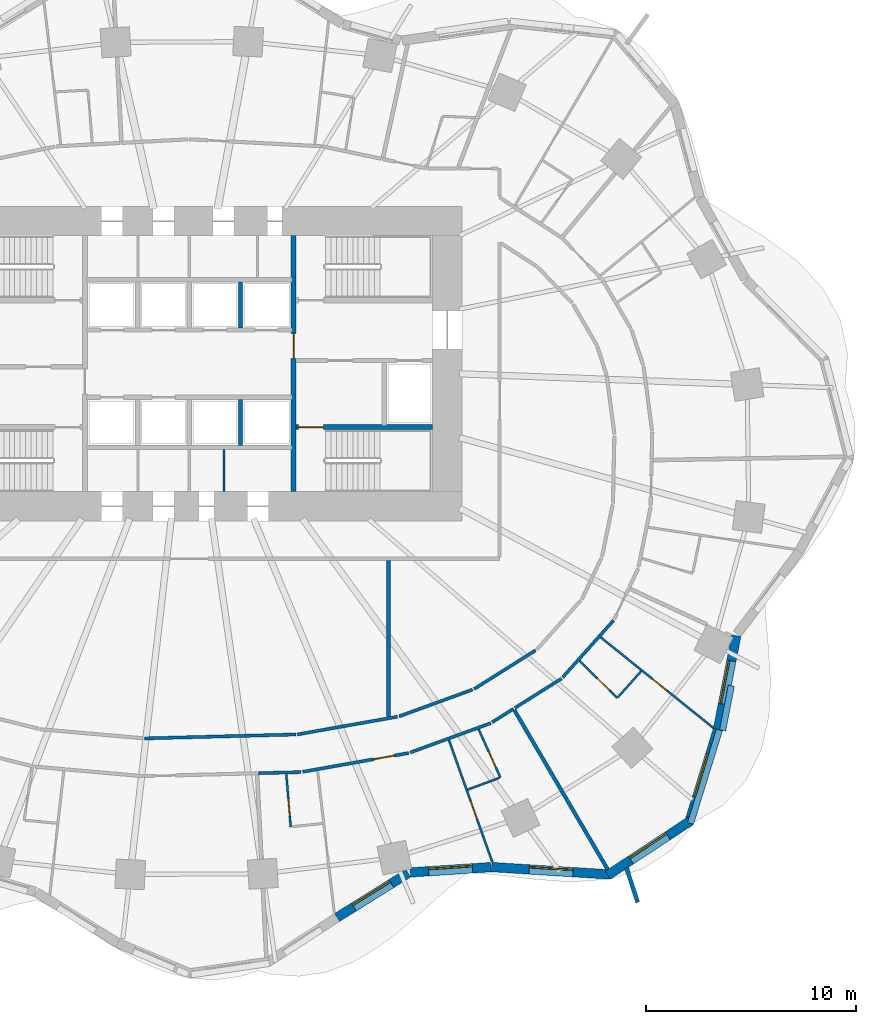
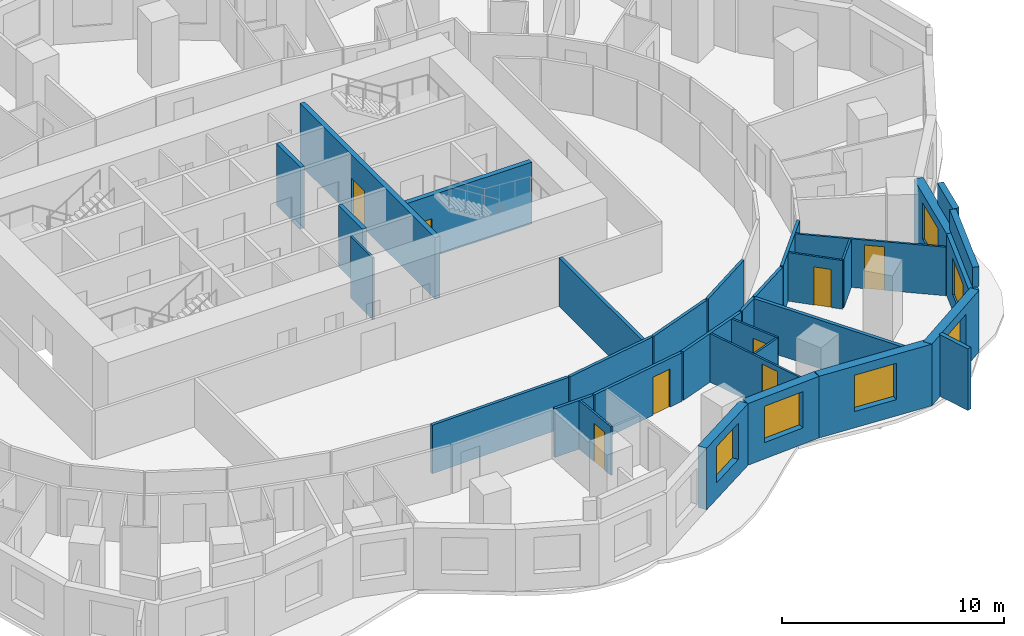
# One storey, part 6 of 11: 33 walls, 8 doors, 6 windows, 14 openings.
"""IFC4 building model written with IfcOpenShell, lengths in metres."""

import ifcopenshell
import ifcopenshell.guid

model = None  # the IFC model being written
_history = None  # IfcOwnerHistory: only IFC2X3 demands one
_inside = {}  # id of a spatial element -> (the spatial element, [elements in it])
_under = {}  # id of a project, library or spatial element -> (it, [spatial elements below it])
_declared = {}  # id of a project -> (the project, [libraries it declares])
_typed = {}  # id of a type object -> (the type object, [elements of that type])
_made_of = {}  # id of a material, layer set ... -> (it, [elements and type objects made of it])


def new_model(schema):
    """Start an empty IFC model of exactly this schema.

    Asked for "IFC4X3", IfcOpenShell would pick the latest addendum, in which some entities
    have other attributes; the version numbers below select the first issue.
    IFC2X3 requires an IfcOwnerHistory on every rooted entity: one is made here for all.
    """
    global model, _history
    if schema == "IFC4X3":
        model = ifcopenshell.file(schema_version=(4, 3, 0, 0))
    else:
        model = ifcopenshell.file(schema=schema)
    _inside.clear()
    _under.clear()
    _declared.clear()
    _typed.clear()
    _made_of.clear()
    _history = None
    if model.schema == "IFC2X3":
        org = make("IfcOrganization", Name="unknown")
        user = make(
            "IfcPersonAndOrganization",
            ThePerson=make("IfcPerson", FamilyName="unknown"),
            TheOrganization=org,
        )
        app = make(
            "IfcApplication",
            ApplicationDeveloper=org,
            Version="unknown",
            ApplicationFullName="unknown",
            ApplicationIdentifier="unknown",
        )
        _history = make(
            "IfcOwnerHistory",
            OwningUser=user,
            OwningApplication=app,
            ChangeAction="ADDED",
            CreationDate=0,
        )
    return model


def make(cls, **values):
    """One entity of the class cls with the attributes given. An attribute that is None is left unset."""
    return model.create_entity(
        cls, **{name: value for name, value in values.items() if value is not None}
    )


def rooted(cls, **values):
    """An entity with a GlobalId (a new one), such as an element, a storey or a relation."""
    return make(cls, GlobalId=ifcopenshell.guid.new(), OwnerHistory=_history, **values)


def si_unit(unit_type, name, prefix=None):
    """IfcSIUnit, for example si_unit("LENGTHUNIT", "METRE", prefix="MILLI")."""
    return make("IfcSIUnit", UnitType=unit_type, Prefix=prefix, Name=name)


def assignment(units):
    """IfcUnitAssignment: the units of a project."""
    return None if units is None else make("IfcUnitAssignment", Units=units)


def point(xyz):
    """IfcCartesianPoint."""
    return None if xyz is None else make("IfcCartesianPoint", Coordinates=xyz)


def direction(xyz):
    """IfcDirection."""
    return None if xyz is None else make("IfcDirection", DirectionRatios=xyz)


def frame(location, z_axis=None, x_axis=None):
    """IfcAxis2Placement3D, a coordinate frame: its origin and axes. An axis left out is left unset."""
    return make(
        "IfcAxis2Placement3D",
        Location=point(location),
        Axis=direction(z_axis),
        RefDirection=direction(x_axis),
    )


def frame_2d(location, x_axis=None):
    """IfcAxis2Placement2D, a coordinate frame in the plane: its origin and x axis."""
    return make(
        "IfcAxis2Placement2D", Location=point(location), RefDirection=direction(x_axis)
    )


def origin():
    """The frame at (0, 0, 0) with its axes left unset."""
    return frame((0.0, 0.0, 0.0))


def place(relative_to, where):
    """IfcLocalPlacement: puts the frame where relative to a parent placement (None: the world)."""
    return make(
        "IfcLocalPlacement", PlacementRelTo=relative_to, RelativePlacement=where
    )


def context(
    kind, dimensions, precision=None, world=None, true_north=None, identifier=None
):
    """IfcGeometricRepresentationContext, for example the 3D "Model" context."""
    return make(
        "IfcGeometricRepresentationContext",
        ContextIdentifier=identifier,
        ContextType=kind,
        CoordinateSpaceDimension=dimensions,
        Precision=precision,
        WorldCoordinateSystem=world,
        TrueNorth=true_north,
    )


def subcontext(parent, identifier, kind, view, scale=None):
    """IfcGeometricRepresentationSubContext, for example "Body" below "Model"."""
    return make(
        "IfcGeometricRepresentationSubContext",
        ContextIdentifier=identifier,
        ContextType=kind,
        ParentContext=parent,
        TargetScale=scale,
        TargetView=view,
    )


def project(units=None, contexts=None):
    """IfcProject with its units and contexts."""
    return rooted(
        "IfcProject",
        Name="project",
        RepresentationContexts=contexts,
        UnitsInContext=assignment(units),
    )


def spatial(cls, under=None, at=None, **own):
    """A site, building, storey or space (cls), placed at a placement, below another one or the project."""
    s = rooted(cls, ObjectPlacement=at, **own)
    if under is not None:
        _under.setdefault(under.id(), (under, []))[1].append(s)
    return s


def profile(cls, at=None, kind="AREA", **sizes):
    """A parametric profile (cls). Its sizes go by their IFC names, for example OverallWidth=200.0."""
    return make(cls, ProfileType=kind, Position=at, **sizes)


def rectangle(**sizes):
    """IfcRectangleProfileDef."""
    return profile("IfcRectangleProfileDef", **sizes)


def extrude(swept, where, along, depth):
    """IfcExtrudedAreaSolid: the profile swept, set in the frame where, extruded along a direction by depth."""
    return make(
        "IfcExtrudedAreaSolid",
        SweptArea=swept,
        Position=where,
        ExtrudedDirection=direction(along),
        Depth=depth,
    )


def shape(context_of_items, identifier, shape_type, items):
    """IfcShapeRepresentation: the items that make up one representation, for example the "Body"."""
    return make(
        "IfcShapeRepresentation",
        ContextOfItems=context_of_items,
        RepresentationIdentifier=identifier,
        RepresentationType=shape_type,
        Items=items,
    )


def material(Name=None, Category=None):
    """IfcMaterial."""
    return make("IfcMaterial", Name=Name, Category=Category)


def layer(
    of_material, thickness, ventilated=None, Name=None, Category=None, Priority=None
):
    """IfcMaterialLayer: one layer of a wall or slab, of a material (None: an air gap)."""
    return make(
        "IfcMaterialLayer",
        Material=of_material,
        LayerThickness=thickness,
        IsVentilated=ventilated,
        Name=Name,
        Category=Category,
        Priority=Priority,
    )


def layer_set(layers, Name=None):
    """IfcMaterialLayerSet."""
    return make("IfcMaterialLayerSet", MaterialLayers=layers, LayerSetName=Name)


def made_of(thing, what):
    """Note that an element or type object is made of a material, layer set ...; save() writes the relation."""
    if what is not None:
        _made_of.setdefault(what.id(), (what, []))[1].append(thing)
    return thing


def type_object(cls, material=None, **own):
    """A type object (cls), such as IfcWallType, which elements share."""
    return made_of(rooted(cls, **own), material)


def element(
    cls,
    number,
    at=None,
    inside=None,
    cuts=None,
    type_object=None,
    material=None,
    context=None,
    identifier="Body",
    shape_type=None,
    held_by="IfcProductDefinitionShape",
    body=None,
    shapes=None,
    **own,
):
    """One element of the class cls, such as IfcWall. Its Tag is "e" and its number.

    at: its placement. inside: the storey or other place that contains it. cuts: it is an
    opening in that element (IfcRelVoidsElement). A single representation is given by context,
    identifier, shape_type and body (its items); several are given by shapes. held_by: the class
    of the entity that holds the representations. save() writes the other relations.
    """
    e = rooted(cls, Tag="e%d" % number, ObjectPlacement=at, **own)
    if body is not None:
        shapes = [shape(context, identifier, shape_type, body)]
    if shapes is not None:
        e.Representation = make(held_by, Representations=shapes)
    if inside is not None:
        _inside.setdefault(inside.id(), (inside, []))[1].append(e)
    if cuts is not None:
        rooted(
            "IfcRelVoidsElement", RelatingBuildingElement=cuts, RelatedOpeningElement=e
        )
    if type_object is not None:
        _typed.setdefault(type_object.id(), (type_object, []))[1].append(e)
    return made_of(e, material)


def fill(opening, filler):
    """IfcRelFillsElement: the door or window that sits in an opening."""
    return rooted(
        "IfcRelFillsElement",
        RelatingOpeningElement=opening,
        RelatedBuildingElement=filler,
    )


def aggregate(whole, parts):
    """IfcRelAggregates: a whole, such as a stair, and the parts it consists of."""
    return rooted("IfcRelAggregates", RelatingObject=whole, RelatedObjects=parts)


def save(model, path):
    """Write the relations noted so far, then the file.

    IfcRelAggregates (storeys below a building ...), IfcRelContainedInSpatialStructure (elements
    in a storey), IfcRelDefinesByType, IfcRelAssociatesMaterial and IfcRelDeclares: one each for
    every whole, place, type object, material and project.
    """
    for whole, parts in _under.values():
        aggregate(whole, parts)
    for where, things in _inside.values():
        rooted(
            "IfcRelContainedInSpatialStructure",
            RelatedElements=things,
            RelatingStructure=where,
        )
    for kind, things in _typed.values():
        rooted("IfcRelDefinesByType", RelatedObjects=things, RelatingType=kind)
    for what, things in _made_of.values():
        rooted("IfcRelAssociatesMaterial", RelatedObjects=things, RelatingMaterial=what)
    for by, libraries in _declared.values():
        rooted("IfcRelDeclares", RelatingContext=by, RelatedDefinitions=libraries)
    model.write(path)


model = new_model("IFC4")

# Units and contexts
model_context = context("Model", 3, precision=1e-05, world=origin(), true_north=direction((0.0, 1.0)))
body_context = subcontext(model_context, "Body", "Model", "MODEL_VIEW")
ifc_project = project(units=[si_unit("LENGTHUNIT", "METRE"), si_unit("AREAUNIT", "SQUARE_METRE"), si_unit("VOLUMEUNIT", "CUBIC_METRE"), si_unit("PLANEANGLEUNIT", "RADIAN"), si_unit("MASSUNIT", "GRAM", prefix="KILO")], contexts=[model_context])

# Site, building, storey
site_placement = place(None, origin())
site = spatial("IfcSite", under=ifc_project, at=site_placement, CompositionType="ELEMENT")
building_placement = place(site_placement, origin())
building = spatial("IfcBuilding", under=site, at=building_placement, Name="Rubra Terraces Tower", CompositionType="ELEMENT")
storey_placement = place(building_placement, frame((0.0, 0.0, 41.10009765625)))
storey = spatial("IfcBuildingStorey", under=building, at=storey_placement, Name="L07", CompositionType="ELEMENT", Elevation=41.10009765625)

# Walls
ifc_material_1 = material(Name="Twin plasterboard on staggered steel stud, acoustic mineral wool", Category="steel")
ifc_layer_1 = layer(ifc_material_1, 0.175048828125)
ifc_layer_set_1 = layer_set([ifc_layer_1], Name="Twin plasterboard on staggered steel stud, acoustic mineral wool")
wall_type_1 = type_object("IfcWallType", Name="ACOUSTIC PARTY WALL 175", PredefinedType="PARTITIONING", material=ifc_layer_set_1)
wall_1_placement = place(storey_placement, frame((19.95849609375, -19.620361328125, 0.0), z_axis=(0.0, 0.0, 1.0), x_axis=(-0.505643381875, 0.862742586387, 0.0)))
element("IfcWall", 1, at=wall_1_placement, inside=storey, type_object=wall_type_1, Name="PARTITION", PredefinedType="PARTITIONING", context=body_context, shape_type="SweptSolid", body=[
    extrude(rectangle(XDim=8.807861328125, YDim=0.175048828125, at=frame_2d((4.40380859375, 0.0))), origin(), (0.0, 0.0, 1.0), 2.679931640625),
])
wall_2_placement = place(storey_placement, frame((9.5, -12.335205078125, 0.0), z_axis=(0.0, 0.0, 1.0), x_axis=(0.0, 1.0, 0.0)))
element("IfcWall", 2, at=wall_2_placement, inside=storey, type_object=wall_type_1, Name="PARTITION", PredefinedType="PARTITIONING", context=body_context, shape_type="SweptSolid", body=[
    extrude(rectangle(XDim=7.460205078125, YDim=0.175048828125, at=frame_2d((3.72998046875, 0.0))), origin(), (0.0, 0.0, 1.0), 2.679931640625),
])

# Wall, opening, window
ifc_material_2 = material(Name="Brick masonry red-brown", Category="masonry")
ifc_layer_2 = layer(ifc_material_2, 0.449951171875)
ifc_layer_set_2 = layer_set([ifc_layer_2], Name="Brick masonry red-brown")
wall_type_2 = type_object("IfcWallType", Name="Brick facade wall 450", PredefinedType="SOLIDWALL", material=ifc_layer_set_2)
wall_3_placement = place(storey_placement, frame((7.0517578125, -21.907470703125, 0.0), z_axis=(0.0, 0.0, 1.0), x_axis=(0.848498976054, 0.529197021566, 0.0)))
wall_3 = element("IfcWall", 3, at=wall_3_placement, inside=storey, type_object=wall_type_2, Name="Facade wall L07 bay 33", PredefinedType="SOLIDWALL", context=body_context, shape_type="SweptSolid", body=[
    extrude(rectangle(XDim=3.99658203125, YDim=0.449951171875, at=frame_2d((1.998291015625, 0.0))), origin(), (0.0, 0.0, 1.0), 3.39990234375),
])
opening_1_placement = place(wall_3_placement, frame((0.9482421875, 0.0, 0.89990234375)))
opening_1 = element("IfcOpeningElement", 4, at=opening_1_placement, cuts=wall_3, Name="Opening W1", PredefinedType="OPENING", context=body_context, shape_type="SweptSolid", body=[
    extrude(rectangle(XDim=2.10009765625, YDim=2.0, at=frame_2d((1.050048828125, 1.0))), frame((0.0, 0.23486328125, 0.0), z_axis=(0.0, -1.0, 0.0), x_axis=(1.0, 0.0, 0.0)), (0.0, 0.0, 1.0), 0.469970703125),
])
ifc_material_3 = material(Name="Clear glass in aluminium frame", Category="aluminium")
window_type = type_object("IfcWindowType", Name="Fixed deep-set window 2100 x 2000", PartitioningType="SINGLE_PANEL", PredefinedType="WINDOW", material=ifc_material_3)
window_1_placement = place(opening_1_placement, origin())
window_1 = element("IfcWindow", 5, at=window_1_placement, inside=storey, type_object=window_type, Name="Window L07 bay 33", OverallHeight=2.0, OverallWidth=2.10009765625, PartitioningType="SINGLE_PANEL", PredefinedType="WINDOW", context=body_context, shape_type="SweptSolid", body=[
    extrude(rectangle(XDim=2.10009765625, YDim=2.0, at=frame_2d((1.050048828125, 1.0))), frame((0.0, 0.135009765625, 0.0), z_axis=(0.0, -1.0, 0.0), x_axis=(1.0, 0.0, 0.0)), (0.0, 0.0, 1.0), 0.06005859375),
])
fill(opening_1, window_1)

wall_4_placement = place(storey_placement, frame((10.537353515625, -19.76123046875, 0.0), z_axis=(0.0, 0.0, 1.0), x_axis=(0.997831357874, 0.065822346084, 0.0)))
wall_4 = element("IfcWall", 6, at=wall_4_placement, inside=storey, type_object=wall_type_2, Name="Facade wall L07 bay 34", PredefinedType="SOLIDWALL", context=body_context, shape_type="SweptSolid", body=[
    extrude(rectangle(XDim=3.861083984375, YDim=0.449951171875, at=frame_2d((1.9306640625, 0.0))), origin(), (0.0, 0.0, 1.0), 3.39990234375),
])
opening_2_placement = place(wall_4_placement, frame((0.880615234375, 0.0, 0.89990234375)))
opening_2 = element("IfcOpeningElement", 7, at=opening_2_placement, cuts=wall_4, Name="Opening W1", PredefinedType="OPENING", context=body_context, shape_type="SweptSolid", body=[
    extrude(rectangle(XDim=2.10009765625, YDim=2.0, at=frame_2d((1.050048828125, 1.0))), frame((0.0, 0.23486328125, 0.0), z_axis=(0.0, -1.0, 0.0), x_axis=(1.0, 0.0, 0.0)), (0.0, 0.0, 1.0), 0.469970703125),
])
window_2_placement = place(opening_2_placement, origin())
window_2 = element("IfcWindow", 8, at=window_2_placement, inside=storey, type_object=window_type, Name="Window L07 bay 34", OverallHeight=2.0, OverallWidth=2.10009765625, PartitioningType="SINGLE_PANEL", PredefinedType="WINDOW", context=body_context, shape_type="SweptSolid", body=[
    extrude(rectangle(XDim=2.10009765625, YDim=2.0, at=frame_2d((1.050048828125, 1.0))), frame((0.0, 0.135009765625, 0.0), z_axis=(0.0, -1.0, 0.0), x_axis=(1.0, 0.0, 0.0)), (0.0, 0.0, 1.0), 0.06005859375),
])
fill(opening_2, window_2)

wall_5_placement = place(storey_placement, frame((14.421142578125, -19.506103515625, 0.0), z_axis=(0.0, 0.0, 1.0), x_axis=(0.998078573447, -0.06196096534, 0.0)))
wall_5 = element("IfcWall", 9, at=wall_5_placement, inside=storey, type_object=wall_type_2, Name="Facade wall L07 bay 35", PredefinedType="SOLIDWALL", context=body_context, shape_type="SweptSolid", body=[
    extrude(rectangle(XDim=5.681884765625, YDim=0.449951171875, at=frame_2d((2.8408203125, 0.0))), origin(), (0.0, 0.0, 1.0), 3.39990234375),
])
opening_3_placement = place(wall_5_placement, frame((1.791015625, 0.0, 0.89990234375)))
opening_3 = element("IfcOpeningElement", 10, at=opening_3_placement, cuts=wall_5, Name="Opening W1", PredefinedType="OPENING", context=body_context, shape_type="SweptSolid", body=[
    extrude(rectangle(XDim=2.10009765625, YDim=2.0, at=frame_2d((1.050048828125, 1.0))), frame((0.0, 0.23486328125, 0.0), z_axis=(0.0, -1.0, 0.0), x_axis=(1.0, 0.0, 0.0)), (0.0, 0.0, 1.0), 0.469970703125),
])
window_3_placement = place(opening_3_placement, origin())
window_3 = element("IfcWindow", 11, at=window_3_placement, inside=storey, type_object=window_type, Name="Window L07 bay 35", OverallHeight=2.0, OverallWidth=2.10009765625, PartitioningType="SINGLE_PANEL", PredefinedType="WINDOW", context=body_context, shape_type="SweptSolid", body=[
    extrude(rectangle(XDim=2.10009765625, YDim=2.0, at=frame_2d((1.050048828125, 1.0))), frame((0.0, 0.135009765625, 0.0), z_axis=(0.0, -1.0, 0.0), x_axis=(1.0, 0.0, 0.0)), (0.0, 0.0, 1.0), 0.06005859375),
])
fill(opening_3, window_3)

wall_6_placement = place(storey_placement, frame((19.959228515625, -19.89501953125, 0.0), z_axis=(0.0, 0.0, 1.0), x_axis=(0.835201398752, 0.549944200372, 0.0)))
wall_6 = element("IfcWall", 12, at=wall_6_placement, inside=storey, type_object=wall_type_2, Name="Facade wall L07 bay 36", PredefinedType="SOLIDWALL", context=body_context, shape_type="SweptSolid", body=[
    extrude(rectangle(XDim=4.74755859375, YDim=0.449951171875, at=frame_2d((2.373779296875, 0.0))), origin(), (0.0, 0.0, 1.0), 3.39990234375),
])
opening_4_placement = place(wall_6_placement, frame((1.32373046875, 0.0, 0.89990234375)))
opening_4 = element("IfcOpeningElement", 13, at=opening_4_placement, cuts=wall_6, Name="Opening W1", PredefinedType="OPENING", context=body_context, shape_type="SweptSolid", body=[
    extrude(rectangle(XDim=2.10009765625, YDim=2.0, at=frame_2d((1.050048828125, 1.0))), frame((0.0, 0.23486328125, 0.0), z_axis=(0.0, -1.0, 0.0), x_axis=(1.0, 0.0, 0.0)), (0.0, 0.0, 1.0), 0.469970703125),
])
window_4_placement = place(opening_4_placement, origin())
window_4 = element("IfcWindow", 14, at=window_4_placement, inside=storey, type_object=window_type, Name="Window L07 bay 36", OverallHeight=2.0, OverallWidth=2.10009765625, PartitioningType="SINGLE_PANEL", PredefinedType="WINDOW", context=body_context, shape_type="SweptSolid", body=[
    extrude(rectangle(XDim=2.10009765625, YDim=2.0, at=frame_2d((1.050048828125, 1.0))), frame((0.0, 0.135009765625, 0.0), z_axis=(0.0, -1.0, 0.0), x_axis=(1.0, 0.0, 0.0)), (0.0, 0.0, 1.0), 0.06005859375),
])
fill(opening_4, window_4)

wall_7_placement = place(storey_placement, frame((23.834228515625, -17.40185546875, 0.0), z_axis=(0.0, 0.0, 1.0), x_axis=(0.2954658114, 0.955353313855, 0.0)))
wall_7 = element("IfcWall", 15, at=wall_7_placement, inside=storey, type_object=wall_type_2, Name="Facade wall L07 bay 37", PredefinedType="SOLIDWALL", context=body_context, shape_type="SweptSolid", body=[
    extrude(rectangle(XDim=4.6982421875, YDim=0.449951171875, at=frame_2d((2.34912109375, 0.0))), origin(), (0.0, 0.0, 1.0), 3.39990234375),
])
opening_5_placement = place(wall_7_placement, frame((1.29931640625, 0.0, 0.89990234375)))
opening_5 = element("IfcOpeningElement", 16, at=opening_5_placement, cuts=wall_7, Name="Opening W1", PredefinedType="OPENING", context=body_context, shape_type="SweptSolid", body=[
    extrude(rectangle(XDim=2.10009765625, YDim=2.0, at=frame_2d((1.050048828125, 1.0))), frame((0.0, 0.23486328125, 0.0), z_axis=(0.0, -1.0, 0.0), x_axis=(1.0, 0.0, 0.0)), (0.0, 0.0, 1.0), 0.469970703125),
])
window_5_placement = place(opening_5_placement, origin())
window_5 = element("IfcWindow", 17, at=window_5_placement, inside=storey, type_object=window_type, Name="Window L07 bay 37", OverallHeight=2.0, OverallWidth=2.10009765625, PartitioningType="SINGLE_PANEL", PredefinedType="WINDOW", context=body_context, shape_type="SweptSolid", body=[
    extrude(rectangle(XDim=2.10009765625, YDim=2.0, at=frame_2d((1.050048828125, 1.0))), frame((0.0, 0.135009765625, 0.0), z_axis=(0.0, -1.0, 0.0), x_axis=(1.0, 0.0, 0.0)), (0.0, 0.0, 1.0), 0.06005859375),
])
fill(opening_5, window_5)

wall_8_placement = place(storey_placement, frame((25.216064453125, -12.936279296875, 0.0), z_axis=(0.0, 0.0, 1.0), x_axis=(0.191564556994, 0.981480015336, 0.0)))
wall_8 = element("IfcWall", 18, at=wall_8_placement, inside=storey, type_object=wall_type_2, Name="Facade wall L07 bay 38", PredefinedType="SOLIDWALL", context=body_context, shape_type="SweptSolid", body=[
    extrude(rectangle(XDim=4.551025390625, YDim=0.449951171875, at=frame_2d((2.275390625, 0.0))), origin(), (0.0, 0.0, 1.0), 3.39990234375),
])
opening_6_placement = place(wall_8_placement, frame((1.2255859375, 0.0, 0.89990234375)))
opening_6 = element("IfcOpeningElement", 19, at=opening_6_placement, cuts=wall_8, Name="Opening W1", PredefinedType="OPENING", context=body_context, shape_type="SweptSolid", body=[
    extrude(rectangle(XDim=2.10009765625, YDim=2.0, at=frame_2d((1.050048828125, 1.0))), frame((0.0, 0.23486328125, 0.0), z_axis=(0.0, -1.0, 0.0), x_axis=(1.0, 0.0, 0.0)), (0.0, 0.0, 1.0), 0.469970703125),
])
window_6_placement = place(opening_6_placement, origin())
window_6 = element("IfcWindow", 20, at=window_6_placement, inside=storey, type_object=window_type, Name="Window L07 bay 38", OverallHeight=2.0, OverallWidth=2.10009765625, PartitioningType="SINGLE_PANEL", PredefinedType="WINDOW", context=body_context, shape_type="SweptSolid", body=[
    extrude(rectangle(XDim=2.10009765625, YDim=2.0, at=frame_2d((1.050048828125, 1.0))), frame((0.0, 0.135009765625, 0.0), z_axis=(0.0, -1.0, 0.0), x_axis=(1.0, 0.0, 0.0)), (0.0, 0.0, 1.0), 0.06005859375),
])
fill(opening_6, window_6)

# Walls
ifc_layer_3 = layer(ifc_material_2, 0.300048828125)
ifc_layer_set_3 = layer_set([ifc_layer_3], Name="Brick masonry red-brown")
wall_type_3 = type_object("IfcWallType", Name="Brick parapet 300", PredefinedType="PARAPET", material=ifc_layer_set_3)
wall_9_placement = place(storey_placement, frame((23.905517578125, -17.42529296875, 3.599853515625), z_axis=(0.0, 0.0, 1.0), x_axis=(0.295431319656, 0.955363980568, 0.0)))
element("IfcWall", 21, at=wall_9_placement, inside=storey, type_object=wall_type_3, Name="Parapet L07 bay 37", PredefinedType="PARAPET", context=body_context, shape_type="SweptSolid", body=[
    extrude(rectangle(XDim=4.665771484375, YDim=0.300048828125, at=frame_2d((2.3330078125, 0.0))), origin(), (0.0, 0.0, 1.0), 1.10009765625),
])
wall_10_placement = place(storey_placement, frame((25.43603515625, -12.9833984375, 3.599853515625), z_axis=(0.0, 0.0, 1.0), x_axis=(0.191565926717, 0.981479747993, 0.0)))
element("IfcWall", 22, at=wall_10_placement, inside=storey, type_object=wall_type_3, Name="Parapet L07 bay 38", PredefinedType="PARAPET", context=body_context, shape_type="SweptSolid", body=[
    extrude(rectangle(XDim=2.167724609375, YDim=0.300048828125, at=frame_2d((1.083984375, 0.0))), origin(), (0.0, 0.0, 1.0), 1.10009765625),
])
ifc_layer_4 = layer(ifc_material_2, 0.199951171875)
ifc_layer_set_4 = layer_set([ifc_layer_4], Name="Brick masonry red-brown")
wall_type_4 = type_object("IfcWallType", Name="Brick wind fin 200", PredefinedType="SOLIDWALL", material=ifc_layer_set_4)
wall_11_placement = place(storey_placement, frame((20.845947265625, -19.530029296875, 0.0), z_axis=(0.0, 0.0, 1.0), x_axis=(0.309732726603, -0.950823662974, 0.0)))
element("IfcWall", 23, at=wall_11_placement, inside=storey, type_object=wall_type_4, Name="Wind fin L07 22", PredefinedType="SOLIDWALL", context=body_context, shape_type="SweptSolid", body=[
    extrude(rectangle(XDim=1.749755859375, YDim=0.199951171875, at=frame_2d((0.875, 0.0))), origin(), (0.0, 0.0, 1.0), 3.39990234375),
])
ifc_material_4 = material(Name="Plasterboard on steel stud, mineral wool infill", Category="steel")
ifc_layer_5 = layer(ifc_material_4, 0.14990234375)
ifc_layer_set_5 = layer_set([ifc_layer_5], Name="Plasterboard on steel stud, mineral wool infill")
wall_type_5 = type_object("IfcWallType", Name="CORRIDOR PARTITION 150", PredefinedType="PARTITIONING", material=ifc_layer_set_5)
wall_12_placement = place(storey_placement, frame((3.310302734375, -15.029052734375, 0.0), z_axis=(0.0, 0.0, 1.0), x_axis=(0.99966219628, 0.025990254501, 0.0)))
element("IfcWall", 24, at=wall_12_placement, inside=storey, type_object=wall_type_5, Name="PARTITION", PredefinedType="PARTITIONING", context=body_context, shape_type="SweptSolid", body=[
    extrude(rectangle(XDim=2.029052734375, YDim=0.14990234375, at=frame_2d((1.0146484375, 0.0))), origin(), (0.0, 0.0, 1.0), 2.679931640625),
])

# Wall, opening, door
wall_13_placement = place(storey_placement, frame((5.41259765625, -14.963134765625, 0.0), z_axis=(0.0, 0.0, 1.0), x_axis=(0.984633017555, 0.174636252655, 0.0)))
wall_13 = element("IfcWall", 25, at=wall_13_placement, inside=storey, type_object=wall_type_5, Name="PARTITION", PredefinedType="PARTITIONING", context=body_context, shape_type="SweptSolid", body=[
    extrude(rectangle(XDim=5.138916015625, YDim=0.14990234375, at=frame_2d((2.5693359375, 0.0))), origin(), (0.0, 0.0, 1.0), 2.679931640625),
])
opening_7_placement = place(wall_13_placement, frame((3.427978515625, 0.0, 0.0)))
opening_7 = element("IfcOpeningElement", 26, at=opening_7_placement, cuts=wall_13, Name="Opening 07-134", PredefinedType="OPENING", context=body_context, shape_type="SweptSolid", body=[
    extrude(rectangle(XDim=1.0, YDim=2.10009765625, at=frame_2d((0.5, 1.050048828125))), frame((0.0, 0.0849609375, 0.0), z_axis=(0.0, -1.0, 0.0), x_axis=(1.0, 0.0, 0.0)), (0.0, 0.0, 1.0), 0.169921875),
])
ifc_material_5 = material(Name="Painted timber door leaf", Category="wood")
door_type_1 = type_object("IfcDoorType", Name="ROOM DOOR 1000 X 2100", OperationType="SINGLE_SWING_LEFT", PredefinedType="DOOR", material=ifc_material_5)
door_1_placement = place(opening_7_placement, origin())
door_1 = element("IfcDoor", 27, at=door_1_placement, inside=storey, type_object=door_type_1, Name="DOOR 07-134", OperationType="SINGLE_SWING_RIGHT", OverallHeight=2.10009765625, OverallWidth=1.0, PredefinedType="DOOR", context=body_context, shape_type="SweptSolid", body=[
    extrude(rectangle(XDim=1.0, YDim=2.10009765625, at=frame_2d((0.5, 1.050048828125))), frame((0.0, 0.02490234375, 0.0), z_axis=(0.0, -1.0, 0.0), x_axis=(1.0, 0.0, 0.0)), (0.0, 0.0, 1.0), 0.050048828125),
])
fill(opening_7, door_1)

# Walls
wall_14_placement = place(storey_placement, frame((10.543212890625, -14.0400390625, 0.0), z_axis=(0.0, 0.0, 1.0), x_axis=(0.939576705301, 0.342338450741, 0.0)))
element("IfcWall", 28, at=wall_14_placement, inside=storey, type_object=wall_type_5, Name="PARTITION", PredefinedType="PARTITIONING", context=body_context, shape_type="SweptSolid", body=[
    extrude(rectangle(XDim=4.08203125, YDim=0.14990234375, at=frame_2d((2.041015625, 0.0))), origin(), (0.0, 0.0, 1.0), 2.679931640625),
])
wall_15_placement = place(storey_placement, frame((14.442138671875, -12.602783203125, 0.0), z_axis=(0.0, 0.0, 1.0), x_axis=(0.845976983642, 0.533219413701, 0.0)))
element("IfcWall", 29, at=wall_15_placement, inside=storey, type_object=wall_type_5, Name="PARTITION", PredefinedType="PARTITIONING", context=body_context, shape_type="SweptSolid", body=[
    extrude(rectangle(XDim=1.21142578125, YDim=0.14990234375, at=frame_2d((0.605712890625, 0.0))), origin(), (0.0, 0.0, 1.0), 2.679931640625),
])
wall_16_placement = place(storey_placement, frame((15.530517578125, -11.916748046875, 0.0), z_axis=(0.0, 0.0, 1.0), x_axis=(0.84600940038, 0.533167979598, 0.0)))
element("IfcWall", 30, at=wall_16_placement, inside=storey, type_object=wall_type_5, Name="PARTITION", PredefinedType="PARTITIONING", context=body_context, shape_type="SweptSolid", body=[
    extrude(rectangle(XDim=2.62841796875, YDim=0.14990234375, at=frame_2d((1.314208984375, 0.0))), origin(), (0.0, 0.0, 1.0), 2.679931640625),
])
wall_17_placement = place(storey_placement, frame((17.80419921875, -10.459716796875, 0.0), z_axis=(0.0, 0.0, 1.0), x_axis=(0.666597463623, 0.745417883802, 0.0)))
element("IfcWall", 31, at=wall_17_placement, inside=storey, type_object=wall_type_5, Name="PARTITION", PredefinedType="PARTITIONING", context=body_context, shape_type="SweptSolid", body=[
    extrude(rectangle(XDim=3.65185546875, YDim=0.14990234375, at=frame_2d((1.825927734375, 0.0))), origin(), (0.0, 0.0, 1.0), 2.679931640625),
])
wall_18_placement = place(storey_placement, frame((16.517333984375, -9.167236328125, 0.0), z_axis=(0.0, 0.0, 1.0), x_axis=(-0.846000117603, -0.533182708849, 0.0)))
element("IfcWall", 32, at=wall_18_placement, inside=storey, type_object=wall_type_5, Name="PARTITION", PredefinedType="PARTITIONING", context=body_context, shape_type="SweptSolid", body=[
    extrude(rectangle(XDim=3.469970703125, YDim=0.14990234375, at=frame_2d((1.73486328125, 0.0))), origin(), (0.0, 0.0, 1.0), 2.679931640625),
])
wall_19_placement = place(storey_placement, frame((13.51123046875, -11.04296875, 0.0), z_axis=(0.0, 0.0, 1.0), x_axis=(-0.939583191704, -0.342320647736, 0.0)))
element("IfcWall", 33, at=wall_19_placement, inside=storey, type_object=wall_type_5, Name="PARTITION", PredefinedType="PARTITIONING", context=body_context, shape_type="SweptSolid", body=[
    extrude(rectangle(XDim=3.73291015625, YDim=0.14990234375, at=frame_2d((1.866455078125, 0.0))), origin(), (0.0, 0.0, 1.0), 2.679931640625),
])
wall_20_placement = place(storey_placement, frame((9.93017578125, -12.333984375, 0.0), z_axis=(0.0, 0.0, 1.0), x_axis=(-0.984638212434, -0.174606960386, 0.0)))
element("IfcWall", 34, at=wall_20_placement, inside=storey, type_object=wall_type_5, Name="PARTITION", PredefinedType="PARTITIONING", context=body_context, shape_type="SweptSolid", body=[
    extrude(rectangle(XDim=4.84765625, YDim=0.14990234375, at=frame_2d((2.423828125, 0.0))), origin(), (0.0, 0.0, 1.0), 2.679931640625),
])
wall_21_placement = place(storey_placement, frame((5.08203125, -13.182373046875, 0.0), z_axis=(0.0, 0.0, 1.0), x_axis=(-0.999661624383, -0.026012242045, 0.0)))
element("IfcWall", 35, at=wall_21_placement, inside=storey, type_object=wall_type_5, Name="PARTITION", PredefinedType="PARTITIONING", context=body_context, shape_type="SweptSolid", body=[
    extrude(rectangle(XDim=7.217529296875, YDim=0.14990234375, at=frame_2d((3.60888671875, 0.0))), origin(), (0.0, 0.0, 1.0), 2.679931640625),
])
ifc_material_6 = material(Name="Concrete C30", Category="concrete")
ifc_layer_6 = layer(ifc_material_6, 0.199951171875)
ifc_layer_set_6 = layer_set([ifc_layer_6], Name="Concrete C30")
wall_type_6 = type_object("IfcWallType", Name="Core wall 200 concrete", PredefinedType="SOLIDWALL", material=ifc_layer_set_6)
for number, where, z_axis, x_axis, name in (
    (36, (2.449951171875, 0.60009765625, 0.0), (0.0, 0.0, 1.0), (0.0, 1.0, 0.0), "LIFT SHAFT WALL L07"),
    (37, (2.449951171875, 6.199951171875, 0.0), (0.0, 0.0, 1.0), (0.0, 1.0, 0.0), "LIFT SHAFT WALL L07"),
):
    element("IfcWall", number, at=place(storey_placement, frame(where, z_axis=z_axis, x_axis=x_axis)), inside=storey, type_object=wall_type_6, Name=name, PredefinedType="SOLIDWALL", context=body_context, shape_type="SweptSolid", body=[
        extrude(rectangle(XDim=2.199951171875, YDim=0.199951171875, at=frame_2d((1.10009765625, 0.0))), origin(), (0.0, 0.0, 1.0), 3.39990234375),
    ])

# Wall, opening, door
ifc_material_7 = material(Name="Plasterboard on steel stud", Category="steel")
ifc_layer_7 = layer(ifc_material_7, 0.10009765625)
ifc_layer_set_7 = layer_set([ifc_layer_7], Name="Plasterboard on steel stud")
wall_type_7 = type_object("IfcWallType", Name="ROOM PARTITION 100", PredefinedType="PARTITIONING", material=ifc_layer_set_7)
wall_22_placement = place(storey_placement, frame((14.45947265625, -19.283203125, 0.0), z_axis=(0.0, 0.0, 1.0), x_axis=(-0.33505478158, 0.942198648556, 0.0)))
wall_22 = element("IfcWall", 38, at=wall_22_placement, inside=storey, type_object=wall_type_7, Name="PARTITION", PredefinedType="PARTITIONING", context=body_context, shape_type="SweptSolid", body=[
    extrude(rectangle(XDim=6.192138671875, YDim=0.10009765625, at=frame_2d((3.09619140625, 0.0))), origin(), (0.0, 0.0, 1.0), 2.679931640625),
])
opening_8_placement = place(wall_22_placement, frame((2.199951171875, 0.0, 0.0)))
opening_8 = element("IfcOpeningElement", 39, at=opening_8_placement, cuts=wall_22, Name="Opening 07-133", PredefinedType="OPENING", context=body_context, shape_type="SweptSolid", body=[
    extrude(rectangle(XDim=0.89990234375, YDim=2.39990234375, at=frame_2d((0.449951171875, 1.199951171875))), frame((0.0, 0.06005859375, 0.0), z_axis=(0.0, -1.0, 0.0), x_axis=(1.0, 0.0, 0.0)), (0.0, 0.0, 1.0), 0.1201171875),
])
ifc_material_8 = material(Name="Veneered timber door leaf, fire-rated", Category="wood")
door_type_2 = type_object("IfcDoorType", Name="SUITE ENTRANCE DOOR 900 X 2400", OperationType="SINGLE_SWING_LEFT", PredefinedType="DOOR", material=ifc_material_8)
door_2_placement = place(opening_8_placement, origin())
door_2 = element("IfcDoor", 40, at=door_2_placement, inside=storey, type_object=door_type_2, Name="DOOR 07-133", OperationType="SINGLE_SWING_LEFT", OverallHeight=2.39990234375, OverallWidth=0.89990234375, PredefinedType="DOOR", context=body_context, shape_type="SweptSolid", body=[
    extrude(rectangle(XDim=0.89990234375, YDim=2.39990234375, at=frame_2d((0.449951171875, 1.199951171875))), frame((0.0, 0.02490234375, 0.0), z_axis=(0.0, -1.0, 0.0), x_axis=(1.0, 0.0, 0.0)), (0.0, 0.0, 1.0), 0.050048828125),
])
fill(opening_8, door_2)

wall_23_placement = place(storey_placement, frame((4.629638671875, -15.069580078125, 0.0), z_axis=(0.0, 0.0, 1.0), x_axis=(0.08247732406, -0.996592941484, 0.0)))
wall_23 = element("IfcWall", 41, at=wall_23_placement, inside=storey, type_object=wall_type_7, Name="PARTITION", PredefinedType="PARTITIONING", context=body_context, shape_type="SweptSolid", body=[
    extrude(rectangle(XDim=2.52490234375, YDim=0.10009765625, at=frame_2d((1.262451171875, 0.0))), origin(), (0.0, 0.0, 1.0), 2.679931640625),
])
opening_9_placement = place(wall_23_placement, frame((1.199951171875, 0.0, 0.0)))
opening_9 = element("IfcOpeningElement", 42, at=opening_9_placement, cuts=wall_23, Name="Opening 07-130", PredefinedType="OPENING", context=body_context, shape_type="SweptSolid", body=[
    extrude(rectangle(XDim=0.800048828125, YDim=2.10009765625, at=frame_2d((0.39990234375, 1.050048828125))), frame((0.0, 0.06005859375, 0.0), z_axis=(0.0, -1.0, 0.0), x_axis=(1.0, 0.0, 0.0)), (0.0, 0.0, 1.0), 0.1201171875),
])
door_type_3 = type_object("IfcDoorType", Name="BATHROOM DOOR 800 X 2100", OperationType="SINGLE_SWING_LEFT", PredefinedType="DOOR", material=ifc_material_5)
door_3_placement = place(opening_9_placement, origin())
door_3 = element("IfcDoor", 43, at=door_3_placement, inside=storey, type_object=door_type_3, Name="DOOR 07-130", OperationType="SINGLE_SWING_LEFT", OverallHeight=2.10009765625, OverallWidth=0.800048828125, PredefinedType="DOOR", context=body_context, shape_type="SweptSolid", body=[
    extrude(rectangle(XDim=0.800048828125, YDim=2.10009765625, at=frame_2d((0.39990234375, 1.050048828125))), frame((0.0, 0.02490234375, 0.0), z_axis=(0.0, -1.0, 0.0), x_axis=(1.0, 0.0, 0.0)), (0.0, 0.0, 1.0), 0.050048828125),
])
fill(opening_9, door_3)

wall_24_placement = place(storey_placement, frame((13.7998046875, -12.93310546875, 0.0), z_axis=(0.0, 0.0, 1.0), x_axis=(0.411317277425, -0.91149223655, 0.0)))
wall_24 = element("IfcWall", 44, at=wall_24_placement, inside=storey, type_object=wall_type_7, Name="PARTITION", PredefinedType="PARTITIONING", context=body_context, shape_type="SweptSolid", body=[
    extrude(rectangle(XDim=2.52490234375, YDim=0.10009765625, at=frame_2d((1.262451171875, 0.0))), origin(), (0.0, 0.0, 1.0), 2.679931640625),
])
opening_10_placement = place(wall_24_placement, frame((1.199951171875, 0.0, 0.0)))
opening_10 = element("IfcOpeningElement", 45, at=opening_10_placement, cuts=wall_24, Name="Opening 07-131", PredefinedType="OPENING", context=body_context, shape_type="SweptSolid", body=[
    extrude(rectangle(XDim=0.800048828125, YDim=2.10009765625, at=frame_2d((0.39990234375, 1.050048828125))), frame((0.0, 0.06005859375, 0.0), z_axis=(0.0, -1.0, 0.0), x_axis=(1.0, 0.0, 0.0)), (0.0, 0.0, 1.0), 0.1201171875),
])
door_4_placement = place(opening_10_placement, origin())
door_4 = element("IfcDoor", 46, at=door_4_placement, inside=storey, type_object=door_type_3, Name="DOOR 07-131", OperationType="SINGLE_SWING_LEFT", OverallHeight=2.10009765625, OverallWidth=0.800048828125, PredefinedType="DOOR", context=body_context, shape_type="SweptSolid", body=[
    extrude(rectangle(XDim=0.800048828125, YDim=2.10009765625, at=frame_2d((0.39990234375, 1.050048828125))), frame((0.0, 0.02490234375, 0.0), z_axis=(0.0, -1.0, 0.0), x_axis=(1.0, 0.0, 0.0)), (0.0, 0.0, 1.0), 0.050048828125),
])
fill(opening_10, door_4)

# Wall
wall_25_placement = place(storey_placement, frame((14.79150390625, -15.251953125, 0.0), z_axis=(0.0, 0.0, 1.0), x_axis=(-0.93817510653, -0.346161045596, 0.0)))
element("IfcWall", 47, at=wall_25_placement, inside=storey, type_object=wall_type_7, Name="PARTITION", PredefinedType="PARTITIONING", context=body_context, shape_type="SweptSolid", body=[
    extrude(rectangle(XDim=1.61376953125, YDim=0.10009765625, at=frame_2d((0.806884765625, 0.0))), origin(), (0.0, 0.0, 1.0), 2.679931640625),
])

# Wall, opening, door
wall_26_placement = place(storey_placement, frame((24.99560546875, -12.870849609375, 0.0), z_axis=(0.0, 0.0, 1.0), x_axis=(-0.779382782797, 0.626548065099, 0.0)))
wall_26 = element("IfcWall", 48, at=wall_26_placement, inside=storey, type_object=wall_type_7, Name="PARTITION", PredefinedType="PARTITIONING", context=body_context, shape_type="SweptSolid", body=[
    extrude(rectangle(XDim=6.90234375, YDim=0.10009765625, at=frame_2d((3.451171875, 0.0))), origin(), (0.0, 0.0, 1.0), 2.679931640625),
])
opening_11_placement = place(wall_26_placement, frame((2.827880859375, 0.0, 0.0)))
opening_11 = element("IfcOpeningElement", 49, at=opening_11_placement, cuts=wall_26, Name="Opening 07-136", PredefinedType="OPENING", context=body_context, shape_type="SweptSolid", body=[
    extrude(rectangle(XDim=0.89990234375, YDim=2.39990234375, at=frame_2d((0.449951171875, 1.199951171875))), frame((0.0, 0.06005859375, 0.0), z_axis=(0.0, -1.0, 0.0), x_axis=(1.0, 0.0, 0.0)), (0.0, 0.0, 1.0), 0.1201171875),
])
door_5_placement = place(opening_11_placement, origin())
door_5 = element("IfcDoor", 50, at=door_5_placement, inside=storey, type_object=door_type_2, Name="DOOR 07-136", OperationType="SINGLE_SWING_LEFT", OverallHeight=2.39990234375, OverallWidth=0.89990234375, PredefinedType="DOOR", context=body_context, shape_type="SweptSolid", body=[
    extrude(rectangle(XDim=0.89990234375, YDim=2.39990234375, at=frame_2d((0.449951171875, 1.199951171875))), frame((0.0, 0.02490234375, 0.0), z_axis=(0.0, -1.0, 0.0), x_axis=(1.0, 0.0, 0.0)), (0.0, 0.0, 1.0), 0.050048828125),
])
fill(opening_11, door_5)

wall_27_placement = place(storey_placement, frame((18.611083984375, -9.669921875, 0.0), z_axis=(0.0, 0.0, 1.0), x_axis=(0.712836736893, -0.701330012573, 0.0)))
wall_27 = element("IfcWall", 51, at=wall_27_placement, inside=storey, type_object=wall_type_7, Name="PARTITION", PredefinedType="PARTITIONING", context=body_context, shape_type="SweptSolid", body=[
    extrude(rectangle(XDim=2.52490234375, YDim=0.10009765625, at=frame_2d((1.262451171875, 0.0))), origin(), (0.0, 0.0, 1.0), 2.679931640625),
])
opening_12_placement = place(wall_27_placement, frame((1.199951171875, 0.0, 0.0)))
opening_12 = element("IfcOpeningElement", 52, at=opening_12_placement, cuts=wall_27, Name="Opening 07-135", PredefinedType="OPENING", context=body_context, shape_type="SweptSolid", body=[
    extrude(rectangle(XDim=0.800048828125, YDim=2.10009765625, at=frame_2d((0.39990234375, 1.050048828125))), frame((0.0, 0.06005859375, 0.0), z_axis=(0.0, -1.0, 0.0), x_axis=(1.0, 0.0, 0.0)), (0.0, 0.0, 1.0), 0.1201171875),
])
door_6_placement = place(opening_12_placement, origin())
door_6 = element("IfcDoor", 53, at=door_6_placement, inside=storey, type_object=door_type_3, Name="DOOR 07-135", OperationType="SINGLE_SWING_LEFT", OverallHeight=2.10009765625, OverallWidth=0.800048828125, PredefinedType="DOOR", context=body_context, shape_type="SweptSolid", body=[
    extrude(rectangle(XDim=0.800048828125, YDim=2.10009765625, at=frame_2d((0.39990234375, 1.050048828125))), frame((0.0, 0.02490234375, 0.0), z_axis=(0.0, -1.0, 0.0), x_axis=(1.0, 0.0, 0.0)), (0.0, 0.0, 1.0), 0.050048828125),
])
fill(opening_12, door_6)

# Walls
wall_28_placement = place(storey_placement, frame((20.444091796875, -11.4033203125, 0.0), z_axis=(0.0, 0.0, 1.0), x_axis=(0.666369249882, 0.745621903388, 0.0)))
element("IfcWall", 54, at=wall_28_placement, inside=storey, type_object=wall_type_7, Name="PARTITION", PredefinedType="PARTITIONING", context=body_context, shape_type="SweptSolid", body=[
    extrude(rectangle(XDim=1.660400390625, YDim=0.10009765625, at=frame_2d((0.830078125, 0.0))), origin(), (0.0, 0.0, 1.0), 2.679931640625),
])
ifc_material_9 = material(Name="Blockwork", Category="masonry")
ifc_layer_8 = layer(ifc_material_9, 0.10009765625)
ifc_layer_set_8 = layer_set([ifc_layer_8], Name="Blockwork")
wall_type_8 = type_object("IfcWallType", Name="Service partition 100 blockwork", PredefinedType="PARTITIONING", material=ifc_layer_set_8)
wall_29_placement = place(storey_placement, frame((1.64990234375, -1.60009765625, 0.0), z_axis=(0.0, 0.0, 1.0), x_axis=(0.0, 1.0, 0.0)))
element("IfcWall", 55, at=wall_29_placement, inside=storey, type_object=wall_type_8, Name="SERVICE ROOM PARTITION L07", PredefinedType="PARTITIONING", context=body_context, shape_type="SweptSolid", body=[
    extrude(rectangle(XDim=2.0, YDim=0.10009765625, at=frame_2d((1.0, 0.0))), origin(), (0.0, 0.0, 1.0), 3.39990234375),
])

# Wall, opening, door
ifc_material_10 = material(Name="Concrete C40", Category="concrete")
ifc_layer_9 = layer(ifc_material_10, 0.25)
ifc_layer_set_9 = layer_set([ifc_layer_9], Name="Concrete C40")
wall_type_9 = type_object("IfcWallType", Name="Stair enclosure wall 250 concrete", PredefinedType="SOLIDWALL", material=ifc_layer_set_9)
wall_30_placement = place(storey_placement, frame((11.60009765625, 1.47509765625, 0.0), z_axis=(0.0, 0.0, 1.0), x_axis=(-1.0, 0.0, 0.0)))
wall_30 = element("IfcWall", 56, at=wall_30_placement, inside=storey, type_object=wall_type_9, Name="STAIR WALL L07", PredefinedType="SOLIDWALL", context=body_context, shape_type="SweptSolid", body=[
    extrude(rectangle(XDim=6.5, YDim=0.25, at=frame_2d((3.25, 0.0))), origin(), (0.0, 0.0, 1.0), 3.39990234375),
])
opening_13_placement = place(wall_30_placement, frame((5.199951171875, 0.0, 0.0)))
opening_13 = element("IfcOpeningElement", 57, at=opening_13_placement, cuts=wall_30, Name="Opening L07.C10", PredefinedType="OPENING", context=body_context, shape_type="SweptSolid", body=[
    extrude(rectangle(XDim=1.199951171875, YDim=2.10009765625, at=frame_2d((0.60009765625, 1.050048828125))), frame((0.0, 0.135009765625, 0.0), z_axis=(0.0, -1.0, 0.0), x_axis=(1.0, 0.0, 0.0)), (0.0, 0.0, 1.0), 0.27001953125),
])
ifc_material_11 = material(Name="Painted steel", Category="steel")
door_type_4 = type_object("IfcDoorType", Name="Fire door 1200x2100 single", OperationType="NOTDEFINED", PredefinedType="DOOR", material=ifc_material_11)
door_7_placement = place(opening_13_placement, origin())
door_7 = element("IfcDoor", 58, at=door_7_placement, inside=storey, type_object=door_type_4, Name="Stair door S4", OperationType="SINGLE_SWING_RIGHT", OverallHeight=2.10009765625, OverallWidth=1.199951171875, PredefinedType="DOOR", context=body_context, shape_type="SweptSolid", body=[
    extrude(rectangle(XDim=1.199951171875, YDim=2.10009765625, at=frame_2d((0.60009765625, 1.050048828125))), frame((0.0, 0.02490234375, 0.0), z_axis=(0.0, -1.0, 0.0), x_axis=(1.0, 0.0, 0.0)), (0.0, 0.0, 1.0), 0.050048828125),
])
fill(opening_13, door_7)

wall_31_placement = place(storey_placement, frame((4.97509765625, 10.60009765625, 0.0), z_axis=(0.0, 0.0, 1.0), x_axis=(0.0, -1.0, 0.0)))
wall_31 = element("IfcWall", 59, at=wall_31_placement, inside=storey, type_object=wall_type_9, Name="CORE LOBBY WALL L07", PredefinedType="SOLIDWALL", context=body_context, shape_type="SweptSolid", body=[
    extrude(rectangle(XDim=12.2001953125, YDim=0.25, at=frame_2d((6.10009765625, 0.0))), origin(), (0.0, 0.0, 1.0), 3.39990234375),
])
opening_14_placement = place(wall_31_placement, frame((4.64990234375, 0.0, 0.0)))
opening_14 = element("IfcOpeningElement", 60, at=opening_14_placement, cuts=wall_31, Name="Opening L07.C04", PredefinedType="OPENING", context=body_context, shape_type="SweptSolid", body=[
    extrude(rectangle(XDim=1.199951171875, YDim=2.10009765625, at=frame_2d((0.60009765625, 1.050048828125))), frame((0.0, 0.135009765625, 0.0), z_axis=(0.0, -1.0, 0.0), x_axis=(1.0, 0.0, 0.0)), (0.0, 0.0, 1.0), 0.27001953125),
])
door_8_placement = place(opening_14_placement, origin())
door_8 = element("IfcDoor", 61, at=door_8_placement, inside=storey, type_object=door_type_4, Name="Firefighting lobby door FF2", OperationType="SINGLE_SWING_RIGHT", OverallHeight=2.10009765625, OverallWidth=1.199951171875, PredefinedType="DOOR", context=body_context, shape_type="SweptSolid", body=[
    extrude(rectangle(XDim=1.199951171875, YDim=2.10009765625, at=frame_2d((0.60009765625, 1.050048828125))), frame((0.0, 0.02490234375, 0.0), z_axis=(0.0, -1.0, 0.0), x_axis=(1.0, 0.0, 0.0)), (0.0, 0.0, 1.0), 0.050048828125),
])
fill(opening_14, door_8)

save(model, "model.ifc")
